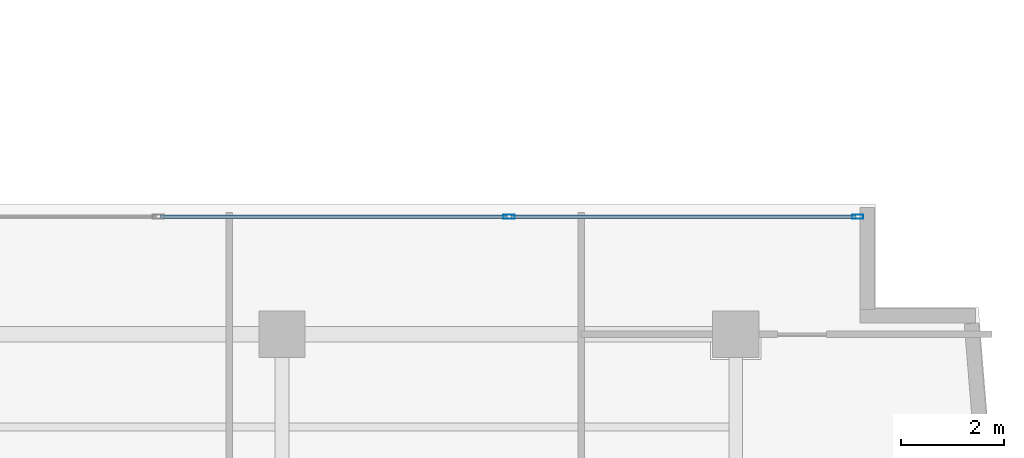
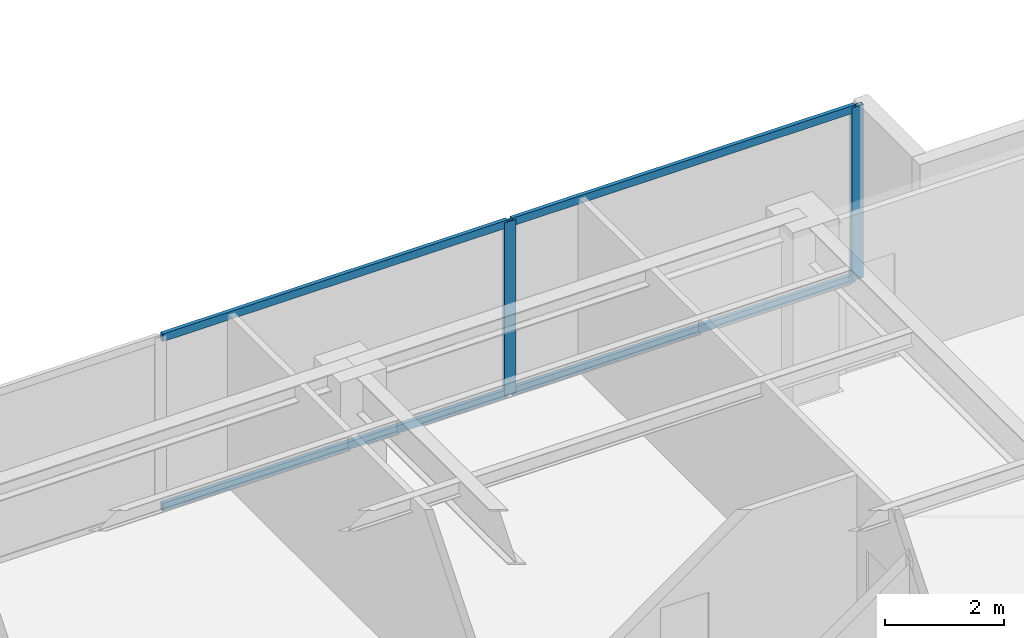
# One storey, part 12 of 24: 6 members, 1 element without a shape of its own.
"""IFC4 building model written with IfcOpenShell, lengths in metres."""

from ifc_helpers import new_model, si_unit, direction, frame, origin, origin_with_axes, origin_2d, place, context, subcontext, project, spatial, hollow_rectangle, extrude, source, transform, mapped, material, layer, layer_set, material_profile, profile_set, type_object, element, aggregate, save


model = new_model("IFC4")

# Units and contexts
model_context = context("Model", 3, precision=1e-05, world=origin(), true_north=direction((0.0, 1.0)))
body_context = subcontext(model_context, "Body", "Model", "MODEL_VIEW")
ifc_project = project(units=[si_unit("LENGTHUNIT", "METRE"), si_unit("AREAUNIT", "SQUARE_METRE"), si_unit("VOLUMEUNIT", "CUBIC_METRE"), si_unit("PLANEANGLEUNIT", "RADIAN"), si_unit("MASSUNIT", "GRAM", prefix="KILO")], contexts=[model_context])

# Site, building, storey
site_placement = place(None, origin())
site = spatial("IfcSite", under=ifc_project, at=site_placement, CompositionType="ELEMENT")
building_placement = place(site_placement, origin())
building = spatial("IfcBuilding", under=site, at=building_placement, Name="Kolvaren Waterfront Exchange", CompositionType="ELEMENT")
storey_placement = place(building_placement, frame((0.0, 0.0, 293.199951171875)))
storey = spatial("IfcBuildingStorey", under=building, at=storey_placement, Name="L75", CompositionType="ELEMENT", Elevation=293.199951171875)

# Curtain wall, members
ifc_material_1 = material(Name="Anodised bronze aluminium 6063-T6", Category="aluminium")
ifc_layer = layer(ifc_material_1, 0.219970703125, Name="Anodised bronze aluminium 6063-T6")
ifc_layer_set = layer_set([ifc_layer], Name="Anodised bronze aluminium 6063-T6")
curtain_wall_type = type_object("IfcCurtainWallType", Name="ARC-CW-SYS1", PredefinedType="USERDEFINED", material=ifc_layer_set)
curtain_wall_placement = place(storey_placement, origin())
curtain_wall = element("IfcCurtainWall", 1, at=curtain_wall_placement, inside=storey, type_object=curtain_wall_type, Name="L75 stick curtain wall CW1 (CW-L75-EN)", ObjectType="STICK CURTAIN WALL", PredefinedType="USERDEFINED")
ifc_material_2 = material(Name="Anodised aluminium 6063-T6", Category="aluminium")
ifc_material_profile_1 = material_profile(ifc_material_2, hollow_rectangle(XDim=0.080078125, YDim=0.219970703125, WallThickness=0.0048828125, at=origin_2d()), Name="ALU-MUL-220x80x5")
ifc_profile_set_1 = profile_set([ifc_material_profile_1], Name="Anodised aluminium 6063-T6")
member_type_1 = type_object("IfcMemberType", Name="ARC-CWM-220", PredefinedType="MULLION", material=ifc_profile_set_1)
shared_shape_1 = source(origin_with_axes(), body_context, "Body", "SweptSolid", [
    extrude(hollow_rectangle(XDim=0.080078125, YDim=0.219970703125, WallThickness=0.0048828125, at=origin_2d()), origin(), (0.0, 0.0, 1.0), 3.56005859375),
])
member_1_placement = place(storey_placement, frame((41.20556640625, 19.67578125, 0.0), z_axis=(0.0, 0.0, 1.0), x_axis=(0.0, 1.0, 0.0)))
member_1 = element("IfcMember", 2, at=member_1_placement, type_object=member_type_1, Name="CW1 mullion 3", PredefinedType="MULLION", context=body_context, shape_type="MappedRepresentation", body=[
    mapped(shared_shape_1, transform((0.0, 0.0, 0.0), x_axis=(1.0, 0.0, 0.0), y_axis=(0.0, 1.0, 0.0), z_axis=(0.0, 0.0, 1.0), scale=1.0)),
])
member_2_placement = place(storey_placement, frame((47.96533203125, 19.67578125, 0.0), z_axis=(0.0, 0.0, 1.0), x_axis=(0.0, 1.0, 0.0)))
member_2 = element("IfcMember", 3, at=member_2_placement, type_object=member_type_1, Name="CW1 mullion 4", PredefinedType="MULLION", context=body_context, shape_type="MappedRepresentation", body=[
    mapped(shared_shape_1, transform((0.0, 0.0, 0.0), x_axis=(1.0, 0.0, 0.0), y_axis=(0.0, 1.0, 0.0), z_axis=(0.0, 0.0, 1.0), scale=1.0)),
])
ifc_material_profile_2 = material_profile(ifc_material_2, hollow_rectangle(XDim=0.074951171875, YDim=0.159912109375, WallThickness=0.00439453125, at=origin_2d()), Name="ALU-TRN-160x75x4.5")
ifc_profile_set_2 = profile_set([ifc_material_profile_2], Name="Anodised aluminium 6063-T6")
member_type_2 = type_object("IfcMemberType", Name="ARC-CWT-160", PredefinedType="USERDEFINED", material=ifc_profile_set_2)
shared_shape_2 = source(origin_with_axes(), body_context, "Body", "SweptSolid", [
    extrude(hollow_rectangle(XDim=0.074951171875, YDim=0.159912109375, WallThickness=0.00439453125, at=origin_2d()), origin(), (0.0, 0.0, 1.0), 6.679931640625),
])
member_3_placement = place(storey_placement, frame((41.245361328125, 19.67578125, 0.03759765625), z_axis=(1.0, 0.0, 0.0), x_axis=(0.0, 1.0, 0.0)))
member_3 = element("IfcMember", 4, at=member_3_placement, type_object=member_type_2, Name="CW1 transom 3.1", ObjectType="TRANSOM", PredefinedType="USERDEFINED", context=body_context, shape_type="MappedRepresentation", body=[
    mapped(shared_shape_2, transform((0.0, 0.0, 0.0), x_axis=(1.0, 0.0, 0.0), y_axis=(0.0, 1.0, 0.0), z_axis=(0.0, 0.0, 1.0), scale=1.0)),
])
member_4_placement = place(storey_placement, frame((41.245361328125, 19.67578125, 3.5224609375), z_axis=(1.0, 0.0, 0.0), x_axis=(0.0, 1.0, 0.0)))
member_4 = element("IfcMember", 5, at=member_4_placement, type_object=member_type_2, Name="CW1 transom 3.2", ObjectType="TRANSOM", PredefinedType="USERDEFINED", context=body_context, shape_type="MappedRepresentation", body=[
    mapped(shared_shape_2, transform((0.0, 0.0, 0.0), x_axis=(1.0, 0.0, 0.0), y_axis=(0.0, 1.0, 0.0), z_axis=(0.0, 0.0, 1.0), scale=1.0)),
])
shared_shape_3 = source(origin_with_axes(), body_context, "Body", "SweptSolid", [
    extrude(hollow_rectangle(XDim=0.074951171875, YDim=0.159912109375, WallThickness=0.00439453125, at=origin_2d()), origin(), (0.0, 0.0, 1.0), 6.719970703125),
])
member_5_placement = place(storey_placement, frame((34.445556640625, 19.67578125, 0.03759765625), z_axis=(1.0, 0.0, 0.0), x_axis=(0.0, 1.0, 0.0)))
member_5 = element("IfcMember", 6, at=member_5_placement, type_object=member_type_2, Name="CW1 transom 2.1", ObjectType="TRANSOM", PredefinedType="USERDEFINED", context=body_context, shape_type="MappedRepresentation", body=[
    mapped(shared_shape_3, transform((0.0, 0.0, 0.0), x_axis=(1.0, 0.0, 0.0), y_axis=(0.0, 1.0, 0.0), z_axis=(0.0, 0.0, 1.0), scale=1.0)),
])
member_6_placement = place(storey_placement, frame((34.445556640625, 19.67578125, 3.5224609375), z_axis=(1.0, 0.0, 0.0), x_axis=(0.0, 1.0, 0.0)))
member_6 = element("IfcMember", 7, at=member_6_placement, type_object=member_type_2, Name="CW1 transom 2.2", ObjectType="TRANSOM", PredefinedType="USERDEFINED", context=body_context, shape_type="MappedRepresentation", body=[
    mapped(shared_shape_3, transform((0.0, 0.0, 0.0), x_axis=(1.0, 0.0, 0.0), y_axis=(0.0, 1.0, 0.0), z_axis=(0.0, 0.0, 1.0), scale=1.0)),
])
aggregate(curtain_wall, [member_1, member_2, member_5, member_6, member_3, member_4])

save(model, "model.ifc")
